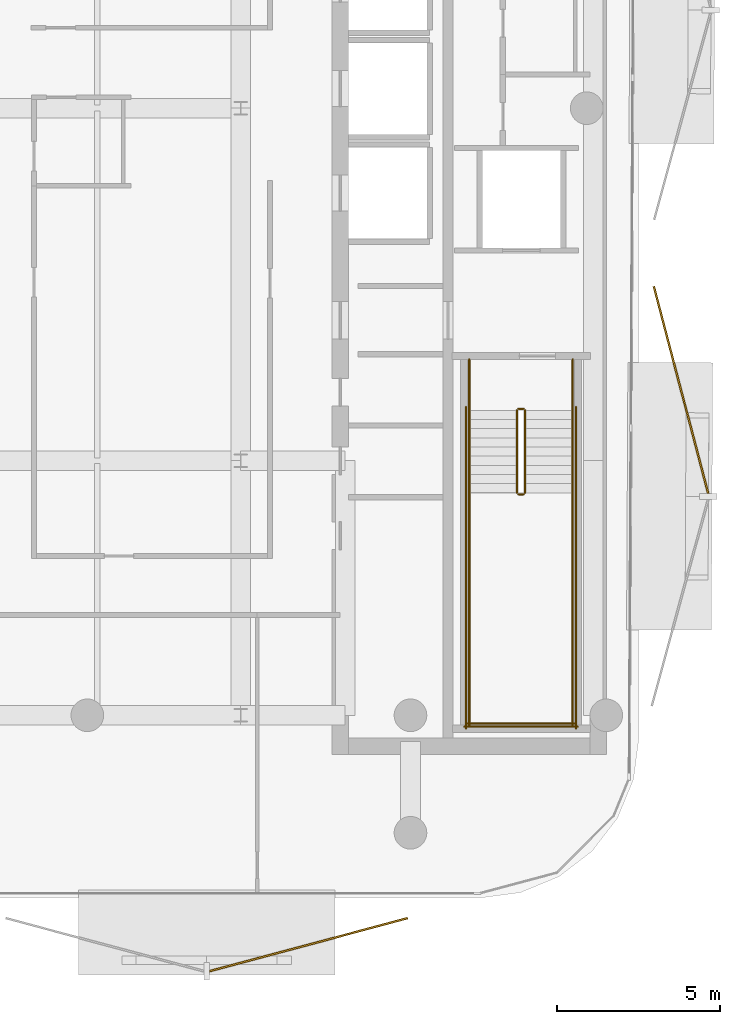
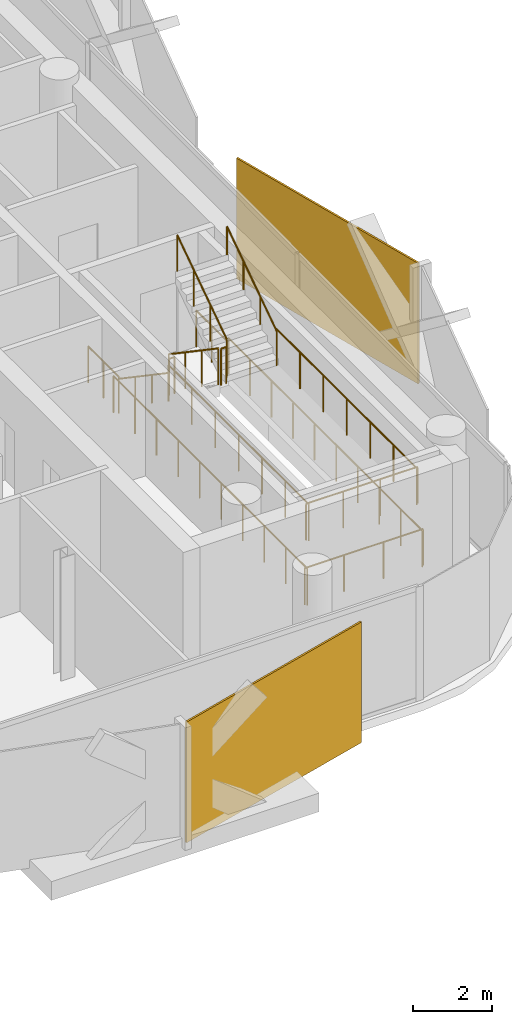
# One storey, part 15 of 16: 14 railings, 2 coverings.
"""IFC4 building model written with IfcOpenShell, lengths in metres."""

from ifc_helpers import new_model, si_unit, direction, frame, origin, origin_2d, place, context, subcontext, project, spatial, rectangle, circle, extrude, material, layer, layer_set, type_object, element, save


model = new_model("IFC4")

# Units and contexts
model_context = context("Model", 3, precision=1e-05, world=origin(), true_north=direction((0.0, 1.0)))
body_context = subcontext(model_context, "Body", "Model", "MODEL_VIEW")
ifc_project = project(units=[si_unit("LENGTHUNIT", "METRE"), si_unit("AREAUNIT", "SQUARE_METRE"), si_unit("VOLUMEUNIT", "CUBIC_METRE"), si_unit("PLANEANGLEUNIT", "RADIAN"), si_unit("MASSUNIT", "GRAM", prefix="KILO")], contexts=[model_context])

# Site, building, storey
site_placement = place(None, origin())
site = spatial("IfcSite", under=ifc_project, at=site_placement, CompositionType="ELEMENT")
building_placement = place(site_placement, origin())
building = spatial("IfcBuilding", under=site, at=building_placement, Name="Khairoan Windgate Tower", CompositionType="ELEMENT")
storey_placement = place(building_placement, frame((0.0, 0.0, 292.800048828125)))
storey = spatial("IfcBuildingStorey", under=building, at=storey_placement, Name="L70", CompositionType="ELEMENT", Elevation=292.800048828125)

# Coverings
ifc_material_1 = material(Name="Anodised Bronze Aluminium 6063-T6", Category="aluminium")
ifc_layer = layer(ifc_material_1, 0.054931640625, Name="Anodised Bronze Aluminium 6063-T6")
ifc_layer_set = layer_set([ifc_layer], Name="Anodised Bronze Aluminium 6063-T6")
covering_type = type_object("IfcCoveringType", Name="Perforated Bronze-Ceramic Folded Solar Screen Cladding BSC-1", PredefinedType="CLADDING", material=ifc_layer_set)
covering_1_placement = place(storey_placement, frame((11.279296875, -25.627685546875, -0.10009765625), z_axis=(0.0, 0.0, 1.0), x_axis=(-0.965925826289, -0.258819045103, 0.0)))
element("IfcCovering", 1, at=covering_1_placement, inside=storey, type_object=covering_type, Name="L70 Folded Bronze Solar Screen Facet 486L", PredefinedType="CLADDING", context=body_context, shape_type="SweptSolid", body=[
    extrude(rectangle(XDim=6.277099609375, YDim=0.054931640625, at=origin_2d()), origin(), (0.0, 0.0, 1.0), 3.739990234375),
])
covering_2_placement = place(storey_placement, frame((22.688720703125, -8.63525390625, -0.10009765625), z_axis=(0.0, 0.0, 1.0), x_axis=(0.253926760789, -0.967223448927, 0.0)))
element("IfcCovering", 2, at=covering_2_placement, inside=storey, type_object=covering_type, Name="L70 Folded Bronze Solar Screen Facet 493L", PredefinedType="CLADDING", context=body_context, shape_type="SweptSolid", body=[
    extrude(rectangle(XDim=6.554931640625, YDim=0.054931640625, at=origin_2d()), origin(), (0.0, 0.0, 1.0), 3.739990234375),
])

# Railings
ifc_material_2 = material(Name="Anodised Bronze Aluminium 6063-T6", Category="aluminium")
railing_type_1 = type_object("IfcRailingType", Name="Stair Wall Handrail SHR-900", PredefinedType="HANDRAIL", material=ifc_material_2)
railing_1_placement = place(storey_placement, frame((16.199951171875, -9.260009765625, 0.18994140625)))
element("IfcRailing", 3, at=railing_1_placement, inside=storey, type_object=railing_type_1, Name="L70 ST1 stair handrail 1", PredefinedType="HANDRAIL", context=body_context, shape_type="SweptSolid", body=[
    extrude(circle(Radius=0.02392578125, at=origin_2d()), frame((0.0, 0.0, 0.8759765625), z_axis=(0.0, -0.827483756001, 0.561489655786), x_axis=(1.0, 0.0, 0.0)), (0.0, 0.0, 1.0), 3.04541015625),
    extrude(circle(Radius=0.02099609375, at=origin_2d()), origin(), (0.0, 0.0, 1.0), 0.851806640625),
    extrude(circle(Radius=0.02099609375, at=origin_2d()), frame((0.0, -0.840087890625, 0.570068359375)), (0.0, 0.0, 1.0), 0.851806640625),
    extrude(circle(Radius=0.02099609375, at=origin_2d()), frame((0.0, -1.679931640625, 1.139892578125)), (0.0, 0.0, 1.0), 0.851806640625),
    extrude(circle(Radius=0.02099609375, at=origin_2d()), frame((0.0, -2.52001953125, 1.7099609375)), (0.0, 0.0, 1.0), 0.851806640625),
])
railing_2_placement = place(storey_placement, frame((19.3701171875, -11.780029296875, 2.08984375)))
element("IfcRailing", 4, at=railing_2_placement, inside=storey, type_object=railing_type_1, Name="L70 ST1 stair handrail 2", PredefinedType="HANDRAIL", context=body_context, shape_type="SweptSolid", body=[
    extrude(circle(Radius=0.02392578125, at=origin_2d()), frame((0.0, 0.0, 0.8759765625), z_axis=(0.0, 0.82744650838, 0.561544544778), x_axis=(-1.0, 0.0, 0.0)), (0.0, 0.0, 1.0), 3.045654296875),
    extrude(circle(Radius=0.02099609375, at=origin_2d()), origin(), (0.0, 0.0, 1.0), 0.851806640625),
    extrude(circle(Radius=0.02099609375, at=origin_2d()), frame((0.0, 0.840087890625, 0.570068359375)), (0.0, 0.0, 1.0), 0.851806640625),
    extrude(circle(Radius=0.02099609375, at=origin_2d()), frame((0.0, 1.679931640625, 1.14013671875)), (0.0, 0.0, 1.0), 0.851806640625),
    extrude(circle(Radius=0.02099609375, at=origin_2d()), frame((0.0, 2.52001953125, 1.710205078125)), (0.0, 0.0, 1.0), 0.851806640625),
])
ifc_material_3 = material(Name="Steel S355", Category="steel")
railing_type_2 = type_object("IfcRailingType", Name="Stairwell Safety Guardrail SGR-1150", PredefinedType="GUARDRAIL", material=ifc_material_3)
railing_3_placement = place(storey_placement, frame((17.659912109375, -9.260009765625, 0.18994140625)))
element("IfcRailing", 5, at=railing_3_placement, inside=storey, type_object=railing_type_2, Name="L70 ST1 stair guard 1", PredefinedType="GUARDRAIL", context=body_context, shape_type="SweptSolid", body=[
    extrude(circle(Radius=0.02392578125, at=origin_2d()), frame((0.0, 0.0, 1.1259765625), z_axis=(0.0, -0.827483756001, 0.561489655786), x_axis=(1.0, 0.0, 0.0)), (0.0, 0.0, 1.0), 3.04541015625),
    extrude(circle(Radius=0.02099609375, at=origin_2d()), origin(), (0.0, 0.0, 1.0), 1.101806640625),
    extrude(circle(Radius=0.02099609375, at=origin_2d()), frame((0.0, -0.840087890625, 0.570068359375)), (0.0, 0.0, 1.0), 1.101806640625),
    extrude(circle(Radius=0.02099609375, at=origin_2d()), frame((0.0, -1.679931640625, 1.139892578125)), (0.0, 0.0, 1.0), 1.101806640625),
    extrude(circle(Radius=0.02099609375, at=origin_2d()), frame((0.0, -2.52001953125, 1.7099609375)), (0.0, 0.0, 1.0), 1.101806640625),
])
railing_4_placement = place(storey_placement, frame((17.7099609375, -11.830078125, 1.89990234375)))
element("IfcRailing", 6, at=railing_4_placement, inside=storey, type_object=railing_type_2, Name="L70 ST1 stair guard 2", PredefinedType="GUARDRAIL", context=body_context, shape_type="SweptSolid", body=[
    extrude(circle(Radius=0.02392578125, at=origin_2d()), frame((0.0, 0.0, 1.1259765625), z_axis=(1.0, 0.0, 0.0), x_axis=(0.0, 1.0, 0.0)), (0.0, 0.0, 1.0), 0.150146484375),
    extrude(circle(Radius=0.02099609375, at=origin_2d()), origin(), (0.0, 0.0, 1.0), 1.101806640625),
    extrude(circle(Radius=0.02099609375, at=origin_2d()), frame((0.150146484375, 0.0, 0.0)), (0.0, 0.0, 1.0), 1.101806640625),
])
for number, where, name in (
    (7, (16.199951171875, -11.780029296875, 1.89990234375), "L70 ST1 stair guard 3"),
    (8, (19.3701171875, -11.780029296875, 1.89990234375), "L70 ST1 stair guard 4"),
):
    element("IfcRailing", number, at=place(storey_placement, frame(where)), inside=storey, type_object=railing_type_2, Name=name, PredefinedType="GUARDRAIL", context=body_context, shape_type="SweptSolid", body=[
        extrude(circle(Radius=0.02392578125, at=origin_2d()), frame((0.0, 0.0, 1.1259765625), z_axis=(0.0, -1.0, 0.0), x_axis=(1.0, 0.0, 0.0)), (0.0, 0.0, 1.0), 7.119873046875),
        extrude(circle(Radius=0.02099609375, at=origin_2d()), origin(), (0.0, 0.0, 1.0), 1.101806640625),
        extrude(circle(Radius=0.02099609375, at=origin_2d()), frame((0.0, -1.1865234375, 0.0)), (0.0, 0.0, 1.0), 1.101806640625),
        extrude(circle(Radius=0.02099609375, at=origin_2d()), frame((0.0, -2.373291015625, 0.0)), (0.0, 0.0, 1.0), 1.101806640625),
        extrude(circle(Radius=0.02099609375, at=origin_2d()), frame((0.0, -3.56005859375, 0.0)), (0.0, 0.0, 1.0), 1.101806640625),
        extrude(circle(Radius=0.02099609375, at=origin_2d()), frame((0.0, -4.74658203125, 0.0)), (0.0, 0.0, 1.0), 1.101806640625),
        extrude(circle(Radius=0.02099609375, at=origin_2d()), frame((0.0, -5.93310546875, 0.0)), (0.0, 0.0, 1.0), 1.101806640625),
        extrude(circle(Radius=0.02099609375, at=origin_2d()), frame((0.0, -7.119873046875, 0.0)), (0.0, 0.0, 1.0), 1.101806640625),
    ])
railing_5_placement = place(storey_placement, frame((16.14990234375, -18.85009765625, 1.89990234375)))
element("IfcRailing", 9, at=railing_5_placement, inside=storey, type_object=railing_type_2, Name="L70 ST1 stair guard 5", PredefinedType="GUARDRAIL", context=body_context, shape_type="SweptSolid", body=[
    extrude(circle(Radius=0.02392578125, at=origin_2d()), frame((0.0, 0.0, 1.1259765625), z_axis=(1.0, 0.0, 0.0), x_axis=(0.0, 1.0, 0.0)), (0.0, 0.0, 1.0), 3.27001953125),
    extrude(circle(Radius=0.02099609375, at=origin_2d()), origin(), (0.0, 0.0, 1.0), 1.101806640625),
    extrude(circle(Radius=0.02099609375, at=origin_2d()), frame((1.090087890625, 0.0, 0.0)), (0.0, 0.0, 1.0), 1.101806640625),
    extrude(circle(Radius=0.02099609375, at=origin_2d()), frame((2.179931640625, 0.0, 0.0)), (0.0, 0.0, 1.0), 1.101806640625),
    extrude(circle(Radius=0.02099609375, at=origin_2d()), frame((3.27001953125, 0.0, 0.0)), (0.0, 0.0, 1.0), 1.101806640625),
])
railing_6_placement = place(storey_placement, frame((17.909912109375, -11.780029296875, 2.08984375)))
element("IfcRailing", 10, at=railing_6_placement, inside=storey, type_object=railing_type_2, Name="L70 ST1 stair guard 6", PredefinedType="GUARDRAIL", context=body_context, shape_type="SweptSolid", body=[
    extrude(circle(Radius=0.02392578125, at=origin_2d()), frame((0.0, 0.0, 1.1259765625), z_axis=(0.0, 0.82744650838, 0.561544544778), x_axis=(-1.0, 0.0, 0.0)), (0.0, 0.0, 1.0), 3.045654296875),
    extrude(circle(Radius=0.02099609375, at=origin_2d()), origin(), (0.0, 0.0, 1.0), 1.101806640625),
    extrude(circle(Radius=0.02099609375, at=origin_2d()), frame((0.0, 0.840087890625, 0.570068359375)), (0.0, 0.0, 1.0), 1.101806640625),
    extrude(circle(Radius=0.02099609375, at=origin_2d()), frame((0.0, 1.679931640625, 1.14013671875)), (0.0, 0.0, 1.0), 1.101806640625),
    extrude(circle(Radius=0.02099609375, at=origin_2d()), frame((0.0, 2.52001953125, 1.710205078125)), (0.0, 0.0, 1.0), 1.101806640625),
])
railing_7_placement = place(storey_placement, frame((17.7099609375, -9.2099609375, 0.0)))
element("IfcRailing", 11, at=railing_7_placement, inside=storey, type_object=railing_type_2, Name="L70 ST1 stair guard 7", PredefinedType="GUARDRAIL", context=body_context, shape_type="SweptSolid", body=[
    extrude(circle(Radius=0.02392578125, at=origin_2d()), frame((0.0, 0.0, 1.1259765625), z_axis=(1.0, 0.0, 0.0), x_axis=(0.0, 1.0, 0.0)), (0.0, 0.0, 1.0), 0.150146484375),
    extrude(circle(Radius=0.02099609375, at=origin_2d()), origin(), (0.0, 0.0, 1.0), 1.101806640625),
    extrude(circle(Radius=0.02099609375, at=origin_2d()), frame((0.150146484375, 0.0, 0.0)), (0.0, 0.0, 1.0), 1.101806640625),
])
for number, where, name in (
    (12, (16.199951171875, -7.699951171875, 0.0), "L70 ST1 stair guard 8"),
    (13, (19.3701171875, -7.699951171875, 0.0), "L70 ST1 stair guard 9"),
):
    element("IfcRailing", number, at=place(storey_placement, frame(where)), inside=storey, type_object=railing_type_2, Name=name, PredefinedType="GUARDRAIL", context=body_context, shape_type="SweptSolid", body=[
        extrude(circle(Radius=0.02392578125, at=origin_2d()), frame((0.0, 0.0, 1.1259765625), z_axis=(0.0, -1.0, 0.0), x_axis=(1.0, 0.0, 0.0)), (0.0, 0.0, 1.0), 1.56005859375),
        extrude(circle(Radius=0.02099609375, at=origin_2d()), origin(), (0.0, 0.0, 1.0), 1.101806640625),
        extrude(circle(Radius=0.02099609375, at=origin_2d()), frame((0.0, -0.780029296875, 0.0)), (0.0, 0.0, 1.0), 1.101806640625),
        extrude(circle(Radius=0.02099609375, at=origin_2d()), frame((0.0, -1.56005859375, 0.0)), (0.0, 0.0, 1.0), 1.101806640625),
    ])
for number, where, name in (
    (14, (16.10009765625, -9.159912109375, 0.0), "L70 ST1 stair guard 10"),
    (15, (19.469970703125, -9.159912109375, 0.0), "L70 ST1 stair guard 11"),
):
    element("IfcRailing", number, at=place(storey_placement, frame(where)), inside=storey, type_object=railing_type_2, Name=name, PredefinedType="GUARDRAIL", context=body_context, shape_type="SweptSolid", body=[
        extrude(circle(Radius=0.02392578125, at=origin_2d()), frame((0.0, 0.0, 1.1259765625), z_axis=(0.0, -1.0, 0.0), x_axis=(1.0, 0.0, 0.0)), (0.0, 0.0, 1.0), 9.840087890625),
        extrude(circle(Radius=0.02099609375, at=origin_2d()), origin(), (0.0, 0.0, 1.0), 1.101806640625),
        extrude(circle(Radius=0.02099609375, at=origin_2d()), frame((0.0, -1.09326171875, 0.0)), (0.0, 0.0, 1.0), 1.101806640625),
        extrude(circle(Radius=0.02099609375, at=origin_2d()), frame((0.0, -2.186767578125, 0.0)), (0.0, 0.0, 1.0), 1.101806640625),
        extrude(circle(Radius=0.02099609375, at=origin_2d()), frame((0.0, -3.280029296875, 0.0)), (0.0, 0.0, 1.0), 1.101806640625),
        extrude(circle(Radius=0.02099609375, at=origin_2d()), frame((0.0, -4.373291015625, 0.0)), (0.0, 0.0, 1.0), 1.101806640625),
        extrude(circle(Radius=0.02099609375, at=origin_2d()), frame((0.0, -5.466796875, 0.0)), (0.0, 0.0, 1.0), 1.101806640625),
        extrude(circle(Radius=0.02099609375, at=origin_2d()), frame((0.0, -6.56005859375, 0.0)), (0.0, 0.0, 1.0), 1.101806640625),
        extrude(circle(Radius=0.02099609375, at=origin_2d()), frame((0.0, -7.6533203125, 0.0)), (0.0, 0.0, 1.0), 1.101806640625),
        extrude(circle(Radius=0.02099609375, at=origin_2d()), frame((0.0, -8.746826171875, 0.0)), (0.0, 0.0, 1.0), 1.101806640625),
        extrude(circle(Radius=0.02099609375, at=origin_2d()), frame((0.0, -9.840087890625, 0.0)), (0.0, 0.0, 1.0), 1.101806640625),
    ])
railing_8_placement = place(storey_placement, frame((16.050048828125, -18.949951171875, 0.0)))
element("IfcRailing", 16, at=railing_8_placement, inside=storey, type_object=railing_type_2, Name="L70 ST1 stair guard 12", PredefinedType="GUARDRAIL", context=body_context, shape_type="SweptSolid", body=[
    extrude(circle(Radius=0.02392578125, at=origin_2d()), frame((0.0, 0.0, 1.1259765625), z_axis=(1.0, 0.0, 0.0), x_axis=(0.0, 1.0, 0.0)), (0.0, 0.0, 1.0), 3.469970703125),
    extrude(circle(Radius=0.02099609375, at=origin_2d()), origin(), (0.0, 0.0, 1.0), 1.101806640625),
    extrude(circle(Radius=0.02099609375, at=origin_2d()), frame((1.15673828125, 0.0, 0.0)), (0.0, 0.0, 1.0), 1.101806640625),
    extrude(circle(Radius=0.02099609375, at=origin_2d()), frame((2.313232421875, 0.0, 0.0)), (0.0, 0.0, 1.0), 1.101806640625),
    extrude(circle(Radius=0.02099609375, at=origin_2d()), frame((3.469970703125, 0.0, 0.0)), (0.0, 0.0, 1.0), 1.101806640625),
])

save(model, "model.ifc")
